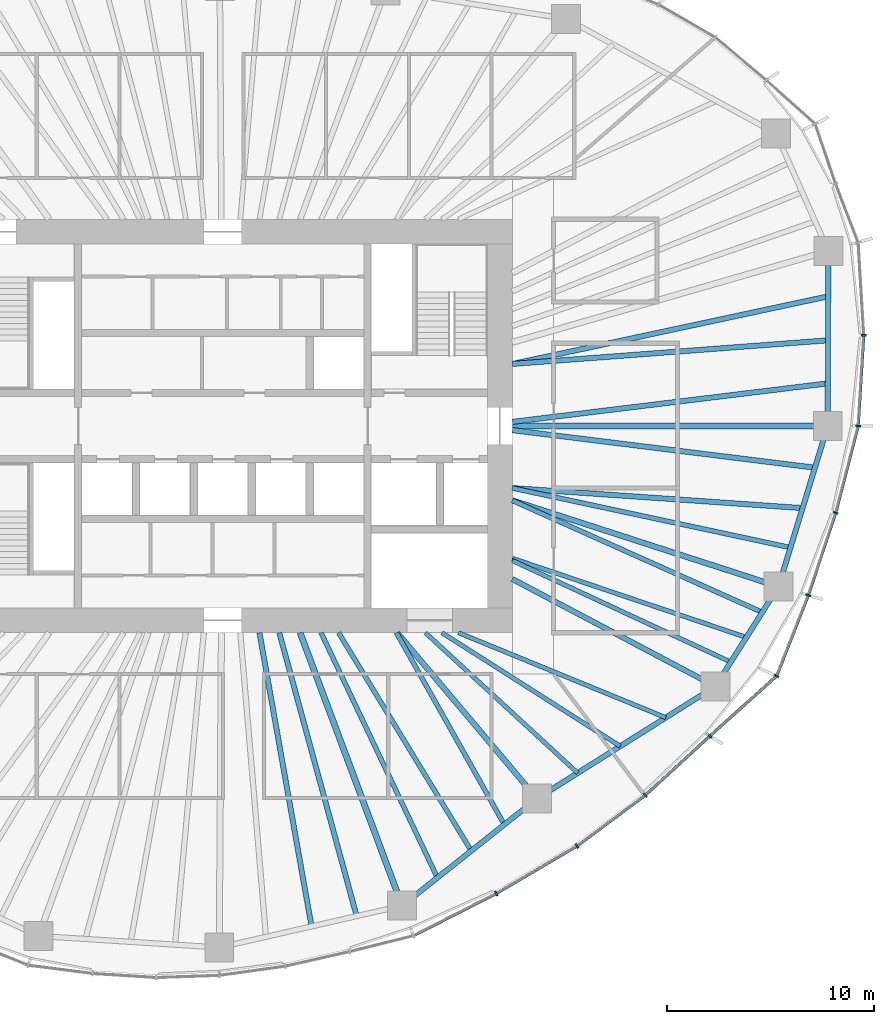
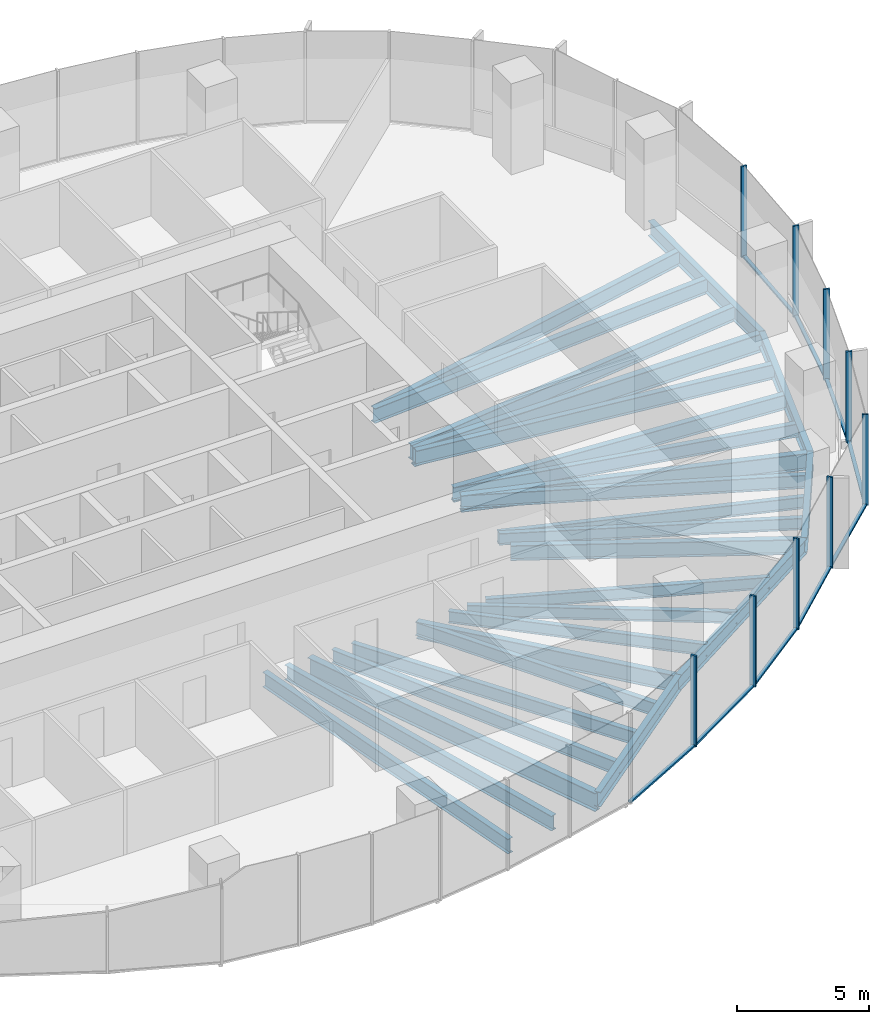
# One storey, part 4 of 18: 27 beams, 18 members, 5 elements without a shape of their own.
"""IFC4 building model written with IfcOpenShell, lengths in metres."""

from ifc_helpers import new_model, si_unit, direction, frame, origin, origin_2d, place, context, subcontext, project, spatial, rectangle, i_section, extrude, material, material_profile, profile_set, type_object, element, aggregate, save


model = new_model("IFC4")

# Units and contexts
model_context = context("Model", 3, precision=1e-05, world=origin(), true_north=direction((0.0, 1.0)))
body_context = subcontext(model_context, "Body", "Model", "MODEL_VIEW")
ifc_project = project(units=[si_unit("LENGTHUNIT", "METRE"), si_unit("AREAUNIT", "SQUARE_METRE"), si_unit("VOLUMEUNIT", "CUBIC_METRE"), si_unit("PLANEANGLEUNIT", "RADIAN"), si_unit("MASSUNIT", "GRAM", prefix="KILO")], contexts=[model_context])

# Site, building, storey
site_placement = place(None, origin())
site = spatial("IfcSite", under=ifc_project, at=site_placement, CompositionType="ELEMENT")
building_placement = place(site_placement, origin())
building = spatial("IfcBuilding", under=site, at=building_placement, Name="Ghaith Harvest Tower", CompositionType="ELEMENT")
storey_placement = place(building_placement, frame((0.0, 0.0, 168.0)))
storey = spatial("IfcBuildingStorey", under=building, at=storey_placement, Name="L36", CompositionType="ELEMENT", Elevation=168.0)

# Curtain wall, members
ifc_material_1 = material(Name="Black anodised aluminium and fritted glass", Category="aluminium")
curtain_wall_type = type_object("IfcCurtainWallType", Name="CW-L CURTAIN WALL", PredefinedType="NOTDEFINED", material=ifc_material_1)
curtain_wall_1_placement = place(storey_placement, origin())
curtain_wall_1 = element("IfcCurtainWall", 1, at=curtain_wall_1_placement, inside=storey, type_object=curtain_wall_type, Name="Curtain wall CW-L bay 01 L36", PredefinedType="NOTDEFINED")
ifc_material_2 = material(Name="Aluminium, black anodised", Category="aluminium")
ifc_material_profile_1 = material_profile(ifc_material_2, rectangle(XDim=0.080078125, YDim=0.239990234375, at=origin_2d()), Name="CW-L MULLION 80x240")
ifc_profile_set_1 = profile_set([ifc_material_profile_1], Name="Aluminium, black anodised")
member_type_1 = type_object("IfcMemberType", Name="CW-L MULLION 80x240", PredefinedType="MULLION", material=ifc_profile_set_1)
member_1_placement = place(storey_placement, frame((30.728759765625, 0.0, 0.0), z_axis=(0.0, 0.0, 1.0), x_axis=(0.155597142981, 0.987820595602, 0.0)))
member_1 = element("IfcMember", 2, at=member_1_placement, type_object=member_type_1, Name="CW-L mullion 1 bay 01 L36", PredefinedType="MULLION", context=body_context, shape_type="SweptSolid", body=[
    extrude(rectangle(XDim=0.080078125, YDim=0.239990234375, at=origin_2d()), origin(), (0.0, 0.0, 1.0), 4.199951171875),
])
member_2_placement = place(storey_placement, frame((30.998779296875, 4.389892578125, 0.0), z_axis=(0.0, 0.0, 1.0), x_axis=(-0.000162467394, 0.999999986802, 0.0)))
member_2 = element("IfcMember", 3, at=member_2_placement, type_object=member_type_1, Name="CW-L mullion 2 bay 01 L36", PredefinedType="MULLION", context=body_context, shape_type="SweptSolid", body=[
    extrude(rectangle(XDim=0.080078125, YDim=0.239990234375, at=origin_2d()), origin(), (0.0, 0.0, 1.0), 4.199951171875),
])

# Curtain wall, member
curtain_wall_2_placement = place(storey_placement, origin())
curtain_wall_2 = element("IfcCurtainWall", 4, at=curtain_wall_2_placement, inside=storey, type_object=curtain_wall_type, Name="Curtain wall CW-L bay 17 L36", PredefinedType="NOTDEFINED")
member_3_placement = place(storey_placement, frame((13.224365234375, -22.614013671875, 0.0), z_axis=(0.0, 0.0, 1.0), x_axis=(0.876898762173, 0.480675109507, 0.0)))
member_3 = element("IfcMember", 5, at=member_3_placement, type_object=member_type_1, Name="CW-L mullion 2 bay 17 L36", PredefinedType="MULLION", context=body_context, shape_type="SweptSolid", body=[
    extrude(rectangle(XDim=0.080078125, YDim=0.239990234375, at=origin_2d()), origin(), (0.0, 0.0, 1.0), 4.199951171875),
])

# Curtain wall, members
curtain_wall_3_placement = place(storey_placement, origin())
curtain_wall_3 = element("IfcCurtainWall", 6, at=curtain_wall_3_placement, inside=storey, type_object=curtain_wall_type, Name="Curtain wall CW-L bay 18 L36", PredefinedType="NOTDEFINED")
member_4_placement = place(storey_placement, frame((17.1318359375, -20.31591796875, 0.0), z_axis=(0.0, 0.0, 1.0), x_axis=(0.834887453241, 0.550420694035, 0.0)))
member_4 = element("IfcMember", 7, at=member_4_placement, type_object=member_type_1, Name="CW-L mullion 1 bay 18 L36", PredefinedType="MULLION", context=body_context, shape_type="SweptSolid", body=[
    extrude(rectangle(XDim=0.080078125, YDim=0.239990234375, at=origin_2d()), origin(), (0.0, 0.0, 1.0), 4.199951171875),
])
member_5_placement = place(storey_placement, frame((20.4296875, -17.86376953125, 0.0), z_axis=(0.0, 0.0, 1.0), x_axis=(0.770306399656, 0.637673937564, 0.0)))
member_5 = element("IfcMember", 8, at=member_5_placement, type_object=member_type_1, Name="CW-L mullion 2 bay 18 L36", PredefinedType="MULLION", context=body_context, shape_type="SweptSolid", body=[
    extrude(rectangle(XDim=0.080078125, YDim=0.239990234375, at=origin_2d()), origin(), (0.0, 0.0, 1.0), 4.199951171875),
])

curtain_wall_4_placement = place(storey_placement, origin())
curtain_wall_4 = element("IfcCurtainWall", 9, at=curtain_wall_4_placement, inside=storey, type_object=curtain_wall_type, Name="Curtain wall CW-L bay 19 L36", PredefinedType="NOTDEFINED")
member_6_placement = place(storey_placement, frame((23.560546875, -14.994140625, 0.0), z_axis=(0.0, 0.0, 1.0), x_axis=(0.740389054945, 0.672178582906, 0.0)))
member_6 = element("IfcMember", 10, at=member_6_placement, type_object=member_type_1, Name="CW-L mullion 1 bay 19 L36", PredefinedType="MULLION", context=body_context, shape_type="SweptSolid", body=[
    extrude(rectangle(XDim=0.080078125, YDim=0.239990234375, at=origin_2d()), origin(), (0.0, 0.0, 1.0), 4.199951171875),
])
member_7_placement = place(storey_placement, frame((26.786376953125, -12.0927734375, 0.0), z_axis=(0.0, 0.0, 1.0), x_axis=(0.572853476908, 0.819657790785, 0.0)))
member_7 = element("IfcMember", 11, at=member_7_placement, type_object=member_type_1, Name="CW-L mullion 2 bay 19 L36", PredefinedType="MULLION", context=body_context, shape_type="SweptSolid", body=[
    extrude(rectangle(XDim=0.080078125, YDim=0.239990234375, at=origin_2d()), origin(), (0.0, 0.0, 1.0), 4.199951171875),
])

curtain_wall_5_placement = place(storey_placement, origin())
curtain_wall_5 = element("IfcCurtainWall", 12, at=curtain_wall_5_placement, inside=storey, type_object=curtain_wall_type, Name="Curtain wall CW-L bay 20 L36", PredefinedType="NOTDEFINED")
member_8_placement = place(storey_placement, frame((28.319580078125, -8.184814453125, 0.0), z_axis=(0.0, 0.0, 1.0), x_axis=(0.34057402484, 0.94021770543, 0.0)))
member_8 = element("IfcMember", 13, at=member_8_placement, type_object=member_type_1, Name="CW-L mullion 1 bay 20 L36", PredefinedType="MULLION", context=body_context, shape_type="SweptSolid", body=[
    extrude(rectangle(XDim=0.080078125, YDim=0.239990234375, at=origin_2d()), origin(), (0.0, 0.0, 1.0), 4.199951171875),
])
member_9_placement = place(storey_placement, frame((29.64599609375, -4.1982421875, 0.0), z_axis=(0.0, 0.0, 1.0), x_axis=(0.282375140161, 0.959304060358, 0.0)))
member_9 = element("IfcMember", 14, at=member_9_placement, type_object=member_type_1, Name="CW-L mullion 2 bay 20 L36", PredefinedType="MULLION", context=body_context, shape_type="SweptSolid", body=[
    extrude(rectangle(XDim=0.080078125, YDim=0.239990234375, at=origin_2d()), origin(), (0.0, 0.0, 1.0), 4.199951171875),
])

# Member
ifc_material_3 = material(Name="Aluminium, black anodised", Category="aluminium")
ifc_material_profile_2 = material_profile(ifc_material_3, rectangle(XDim=0.14990234375, YDim=0.080078125, at=origin_2d()), Name="CW-L TRANSOM 150x80")
ifc_profile_set_2 = profile_set([ifc_material_profile_2], Name="Aluminium, black anodised")
member_type_2 = type_object("IfcMemberType", Name="CW-L TRANSOM 150x80", PredefinedType="USERDEFINED", material=ifc_profile_set_2)
member_10_placement = place(storey_placement, frame((30.731201171875, 0.0400390625, 0.0400390625), z_axis=(0.061403204251, 0.99811304295, 0.0), x_axis=(-0.99811304295, 0.061403204251, 0.0)))
member_10 = element("IfcMember", 15, at=member_10_placement, type_object=member_type_2, Name="CW-L transom 1 bay 01 L36", ObjectType="TRANSOM", PredefinedType="USERDEFINED", context=body_context, shape_type="SweptSolid", body=[
    extrude(rectangle(XDim=0.14990234375, YDim=0.080078125, at=origin_2d()), origin(), (0.0, 0.0, 1.0), 4.31787109375),
])

aggregate(curtain_wall_1, [member_1, member_10, member_2])

member_11_placement = place(storey_placement, frame((9.25244140625, -24.636474609375, 0.0400390625), z_axis=(0.891120044719, 0.453767634258, 0.0), x_axis=(-0.453767634258, 0.891120044719, 0.0)))
member_11 = element("IfcMember", 16, at=member_11_placement, type_object=member_type_2, Name="CW-L transom 1 bay 17 L36", ObjectType="TRANSOM", PredefinedType="USERDEFINED", context=body_context, shape_type="SweptSolid", body=[
    extrude(rectangle(XDim=0.14990234375, YDim=0.080078125, at=origin_2d()), origin(), (0.0, 0.0, 1.0), 4.417236328125),
])

member_12_placement = place(storey_placement, frame((13.259033203125, -22.59375, 0.0400390625), z_axis=(0.86196381091, 0.506969810424, 0.0), x_axis=(-0.506969810424, 0.86196381091, 0.0)))
member_12 = element("IfcMember", 17, at=member_12_placement, type_object=member_type_2, Name="CW-L transom 2 bay 17 L36", ObjectType="TRANSOM", PredefinedType="USERDEFINED", context=body_context, shape_type="SweptSolid", body=[
    extrude(rectangle(XDim=0.14990234375, YDim=0.080078125, at=origin_2d()), origin(), (0.0, 0.0, 1.0), 4.453125),
])

aggregate(curtain_wall_2, [member_11, member_3, member_12])

member_13_placement = place(storey_placement, frame((17.1640625, -20.2919921875, 0.0400390625), z_axis=(0.802465316609, 0.59669876457, 0.0), x_axis=(-0.59669876457, 0.802465316609, 0.0)))
member_13 = element("IfcMember", 18, at=member_13_placement, type_object=member_type_2, Name="CW-L transom 1 bay 18 L36", ObjectType="TRANSOM", PredefinedType="USERDEFINED", context=body_context, shape_type="SweptSolid", body=[
    extrude(rectangle(XDim=0.14990234375, YDim=0.080078125, at=origin_2d()), origin(), (0.0, 0.0, 1.0), 4.029296875),
])

member_14_placement = place(storey_placement, frame((20.459228515625, -17.836669921875, 0.0400390625), z_axis=(0.737197916434, 0.675676869521, 0.0), x_axis=(-0.675676869521, 0.737197916434, 0.0)))
member_14 = element("IfcMember", 19, at=member_14_placement, type_object=member_type_2, Name="CW-L transom 2 bay 18 L36", ObjectType="TRANSOM", PredefinedType="USERDEFINED", context=body_context, shape_type="SweptSolid", body=[
    extrude(rectangle(XDim=0.14990234375, YDim=0.080078125, at=origin_2d()), origin(), (0.0, 0.0, 1.0), 4.166748046875),
])

aggregate(curtain_wall_3, [member_4, member_13, member_5, member_14])

member_15_placement = place(storey_placement, frame((23.59033203125, -14.967529296875, 0.0400390625), z_axis=(0.74346800111, 0.668771509056, 0.0), x_axis=(-0.668771509056, 0.74346800111, 0.0)))
member_15 = element("IfcMember", 20, at=member_15_placement, type_object=member_type_2, Name="CW-L transom 1 bay 19 L36", ObjectType="TRANSOM", PredefinedType="USERDEFINED", context=body_context, shape_type="SweptSolid", body=[
    extrude(rectangle(XDim=0.14990234375, YDim=0.080078125, at=origin_2d()), origin(), (0.0, 0.0, 1.0), 4.2587890625),
])

member_16_placement = place(storey_placement, frame((26.801025390625, -12.055419921875, 0.0400390625), z_axis=(0.365228588652, 0.930917868575, 0.0), x_axis=(-0.930917868575, 0.365228588652, 0.0)))
member_16 = element("IfcMember", 21, at=member_16_placement, type_object=member_type_2, Name="CW-L transom 2 bay 19 L36", ObjectType="TRANSOM", PredefinedType="USERDEFINED", context=body_context, shape_type="SweptSolid", body=[
    extrude(rectangle(XDim=0.14990234375, YDim=0.080078125, at=origin_2d()), origin(), (0.0, 0.0, 1.0), 4.11767578125),
])

aggregate(curtain_wall_4, [member_6, member_15, member_7, member_16])

member_17_placement = place(storey_placement, frame((28.33203125, -8.14697265625, 0.0400390625), z_axis=(0.315712391444, 0.948854934059, 0.0), x_axis=(-0.948854934059, 0.315712391444, 0.0)))
member_17 = element("IfcMember", 22, at=member_17_placement, type_object=member_type_2, Name="CW-L transom 1 bay 20 L36", ObjectType="TRANSOM", PredefinedType="USERDEFINED", context=body_context, shape_type="SweptSolid", body=[
    extrude(rectangle(XDim=0.14990234375, YDim=0.080078125, at=origin_2d()), origin(), (0.0, 0.0, 1.0), 4.12158203125),
])

member_18_placement = place(storey_placement, frame((29.656005859375, -4.159423828125, 0.0400390625), z_axis=(0.249737470584, 0.968313583395, 0.0), x_axis=(-0.968313583395, 0.249737470584, 0.0)))
member_18 = element("IfcMember", 23, at=member_18_placement, type_object=member_type_2, Name="CW-L transom 2 bay 20 L36", ObjectType="TRANSOM", PredefinedType="USERDEFINED", context=body_context, shape_type="SweptSolid", body=[
    extrude(rectangle(XDim=0.14990234375, YDim=0.080078125, at=origin_2d()), origin(), (0.0, 0.0, 1.0), 4.25537109375),
])

aggregate(curtain_wall_5, [member_8, member_17, member_9, member_18])

# Beams
ifc_material_4 = material(Name="Steel ASTM A992 Grade 50", Category="steel")
ifc_material_profile_3 = material_profile(ifc_material_4, i_section(OverallWidth=0.25390625, OverallDepth=0.68408203125, WebThickness=0.012451171875, FlangeThickness=0.018798828125, at=origin_2d()), Name="W690X140")
ifc_profile_set_3 = profile_set([ifc_material_profile_3], Name="Steel ASTM A992 Grade 50")
beam_type_1 = type_object("IfcBeamType", Name="E690-140 W690X140", PredefinedType="SPANDREL", material=ifc_profile_set_3)
beam_1_placement = place(storey_placement, frame((29.259033203125, 0.0, -0.511962890625), z_axis=(0.003172847394, 0.999994966507, 0.0), x_axis=(-0.999994966507, 0.003172847394, 0.0)))
element("IfcBeam", 24, at=beam_1_placement, inside=storey, type_object=beam_type_1, Name="Edge beam E01 L36", PredefinedType="SPANDREL", context=body_context, shape_type="SweptSolid", body=[
    extrude(i_section(OverallWidth=0.25390625, OverallDepth=0.68408203125, WebThickness=0.012451171875, FlangeThickness=0.018798828125, at=origin_2d()), origin(), (0.0, 0.0, 1.0), 8.464111328125),
])
beam_2_placement = place(storey_placement, frame((8.674072265625, -23.202880859375, -0.511962890625), z_axis=(0.783159540917, 0.621820821033, 0.0), x_axis=(-0.621820821033, 0.783159540917, 0.0)))
element("IfcBeam", 25, at=beam_2_placement, inside=storey, type_object=beam_type_1, Name="Edge beam E17 L36", PredefinedType="SPANDREL", context=body_context, shape_type="SweptSolid", body=[
    extrude(i_section(OverallWidth=0.25390625, OverallDepth=0.68408203125, WebThickness=0.012451171875, FlangeThickness=0.018798828125, at=origin_2d()), origin(), (0.0, 0.0, 1.0), 8.330322265625),
])
beam_3_placement = place(storey_placement, frame((15.197998046875, -18.02294921875, -0.511962890625), z_axis=(0.846385185363, 0.532571232793, 0.0), x_axis=(-0.532571232793, 0.846385185363, 0.0)))
element("IfcBeam", 26, at=beam_3_placement, inside=storey, type_object=beam_type_1, Name="Edge beam E18 L36", PredefinedType="SPANDREL", context=body_context, shape_type="SweptSolid", body=[
    extrude(i_section(OverallWidth=0.25390625, OverallDepth=0.68408203125, WebThickness=0.012451171875, FlangeThickness=0.018798828125, at=origin_2d()), origin(), (0.0, 0.0, 1.0), 10.19384765625),
])
beam_4_placement = place(storey_placement, frame((23.825927734375, -12.593994140625, -0.511962890625), z_axis=(0.534499624093, 0.845168712059, 0.0), x_axis=(-0.845168712059, 0.534499624093, 0.0)))
element("IfcBeam", 27, at=beam_4_placement, inside=storey, type_object=beam_type_1, Name="Edge beam E19 L36", PredefinedType="SPANDREL", context=body_context, shape_type="SweptSolid", body=[
    extrude(i_section(OverallWidth=0.25390625, OverallDepth=0.68408203125, WebThickness=0.012451171875, FlangeThickness=0.018798828125, at=origin_2d()), origin(), (0.0, 0.0, 1.0), 5.7099609375),
])
beam_5_placement = place(storey_placement, frame((26.8779296875, -7.76806640625, -0.511962890625), z_axis=(0.293065809375, 0.956092271371, 0.0), x_axis=(-0.956092271371, 0.293065809375, 0.0)))
element("IfcBeam", 28, at=beam_5_placement, inside=storey, type_object=beam_type_1, Name="Edge beam E20 L36", PredefinedType="SPANDREL", context=body_context, shape_type="SweptSolid", body=[
    extrude(i_section(OverallWidth=0.25390625, OverallDepth=0.68408203125, WebThickness=0.012451171875, FlangeThickness=0.018798828125, at=origin_2d()), origin(), (0.0, 0.0, 1.0), 8.124755859375),
])
ifc_material_5 = material(Name="Steel ASTM A992 Grade 50", Category="steel")
ifc_material_profile_4 = material_profile(ifc_material_5, i_section(OverallWidth=0.256103515625, OverallDepth=0.693115234375, WebThickness=0.014404296875, FlangeThickness=0.023681640625, at=origin_2d()), Name="W690X170")
ifc_profile_set_4 = profile_set([ifc_material_profile_4], Name="Steel ASTM A992 Grade 50")
beam_type_2 = type_object("IfcBeamType", Name="G690-170 W690X170", PredefinedType="BEAM", material=ifc_profile_set_4)
beam_6_placement = place(storey_placement, frame((14.0, -7.39990234375, -0.5166015625), z_axis=(0.884080549082, -0.467334551189, 0.0), x_axis=(0.467334551189, 0.884080549082, 0.0)))
element("IfcBeam", 29, at=beam_6_placement, inside=storey, type_object=beam_type_2, Name="Radial girder G19 L36", PredefinedType="BEAM", context=body_context, shape_type="SweptSolid", body=[
    extrude(i_section(OverallWidth=0.256103515625, OverallDepth=0.693115234375, WebThickness=0.014404296875, FlangeThickness=0.023681640625, at=origin_2d()), origin(), (0.0, 0.0, 1.0), 11.1142578125),
])
ifc_material_6 = material(Name="Steel ASTM A992 Grade 50", Category="steel")
ifc_material_profile_5 = material_profile(ifc_material_6, i_section(OverallWidth=0.26806640625, OverallDepth=0.77001953125, WebThickness=0.015625, FlangeThickness=0.025390625, at=origin_2d()), Name="W760X196")
ifc_profile_set_5 = profile_set([ifc_material_profile_5], Name="Steel ASTM A992 Grade 50")
beam_type_3 = type_object("IfcBeamType", Name="G760-196 W760X196", PredefinedType="BEAM", material=ifc_profile_set_5)
beam_7_placement = place(storey_placement, frame((8.4326171875, -10.0, -0.554931640625), z_axis=(0.644649240595, -0.764478486682, 0.0), x_axis=(0.764478486682, 0.644649240595, 0.0)))
element("IfcBeam", 30, at=beam_7_placement, inside=storey, type_object=beam_type_3, Name="Radial girder G18 L36", PredefinedType="BEAM", context=body_context, shape_type="SweptSolid", body=[
    extrude(i_section(OverallWidth=0.26806640625, OverallDepth=0.77001953125, WebThickness=0.015625, FlangeThickness=0.025390625, at=origin_2d()), origin(), (0.0, 0.0, 1.0), 10.49462890625),
])
beam_8_placement = place(storey_placement, frame((14.0, -3.60009765625, -0.554931640625), z_axis=(0.951410331565, -0.307925934262, 0.0), x_axis=(0.307925934262, 0.951410331565, 0.0)))
element("IfcBeam", 31, at=beam_8_placement, inside=storey, type_object=beam_type_3, Name="Radial girder G20 L36", PredefinedType="BEAM", context=body_context, shape_type="SweptSolid", body=[
    extrude(i_section(OverallWidth=0.26806640625, OverallDepth=0.77001953125, WebThickness=0.015625, FlangeThickness=0.025390625, at=origin_2d()), origin(), (0.0, 0.0, 1.0), 13.53564453125),
])
ifc_material_7 = material(Name="Steel ASTM A992 Grade 50", Category="steel")
ifc_material_profile_6 = material_profile(ifc_material_7, i_section(OverallWidth=0.2939453125, OverallDepth=0.85107421875, WebThickness=0.01611328125, FlangeThickness=0.02685546875, at=origin_2d()), Name="W840X226")
ifc_profile_set_6 = profile_set([ifc_material_profile_6], Name="Steel ASTM A992 Grade 50")
beam_type_4 = type_object("IfcBeamType", Name="G840-226 W840X226", PredefinedType="BEAM", material=ifc_profile_set_6)
beam_9_placement = place(storey_placement, frame((14.0, 0.0, -0.595458984375), z_axis=(1.0, 0.0, 0.0), x_axis=(0.0, 1.0, 0.0)))
element("IfcBeam", 32, at=beam_9_placement, inside=storey, type_object=beam_type_4, Name="Radial girder G01 L36", PredefinedType="BEAM", context=body_context, shape_type="SweptSolid", body=[
    extrude(i_section(OverallWidth=0.2939453125, OverallDepth=0.85107421875, WebThickness=0.01611328125, FlangeThickness=0.02685546875, at=origin_2d()), origin(), (0.0, 0.0, 1.0), 15.259033203125),
])
beam_10_placement = place(storey_placement, frame((3.73828125, -10.0, -0.595458984375), z_axis=(0.350172283717, -0.936685310932, 0.0), x_axis=(0.936685310932, 0.350172283717, 0.0)))
element("IfcBeam", 33, at=beam_10_placement, inside=storey, type_object=beam_type_4, Name="Radial girder G17 L36", PredefinedType="BEAM", context=body_context, shape_type="SweptSolid", body=[
    extrude(i_section(OverallWidth=0.2939453125, OverallDepth=0.85107421875, WebThickness=0.01611328125, FlangeThickness=0.02685546875, at=origin_2d()), origin(), (0.0, 0.0, 1.0), 14.09521484375),
])
ifc_material_8 = material(Name="Steel ASTM A992 Grade 50", Category="steel")
ifc_material_profile_7 = material_profile(ifc_material_8, i_section(OverallWidth=0.2109375, OverallDepth=0.5390625, WebThickness=0.01171875, FlangeThickness=0.018798828125, at=origin_2d()), Name="W530X109")
ifc_profile_set_7 = profile_set([ifc_material_profile_7], Name="Steel ASTM A992 Grade 50")
beam_type_5 = type_object("IfcBeamType", Name="J530-109 W530X109", PredefinedType="JOIST", material=ifc_profile_set_7)
beam_11_placement = place(storey_placement, frame((9.800048828125, -10.0, -0.439453125), z_axis=(0.735441512033, -0.677588210035, 0.0), x_axis=(0.677588210035, 0.735441512033, 0.0)))
element("IfcBeam", 34, at=beam_11_placement, inside=storey, type_object=beam_type_5, Name="Joist J18.1 L36", PredefinedType="JOIST", context=body_context, shape_type="SweptSolid", body=[
    extrude(i_section(OverallWidth=0.2109375, OverallDepth=0.5390625, WebThickness=0.01171875, FlangeThickness=0.018798828125, at=origin_2d()), origin(), (0.0, 0.0, 1.0), 10.01416015625),
])
beam_12_placement = place(storey_placement, frame((10.60009765625, -10.0, -0.439453125), z_axis=(0.843584777848, -0.536996017288, 0.0), x_axis=(0.536996017288, 0.843584777848, 0.0)))
element("IfcBeam", 35, at=beam_12_placement, inside=storey, type_object=beam_type_5, Name="Joist J18.2 L36", PredefinedType="JOIST", context=body_context, shape_type="SweptSolid", body=[
    extrude(i_section(OverallWidth=0.2109375, OverallDepth=0.5390625, WebThickness=0.01171875, FlangeThickness=0.018798828125, at=origin_2d()), origin(), (0.0, 0.0, 1.0), 10.22314453125),
])
beam_13_placement = place(storey_placement, frame((11.39990234375, -10.0, -0.439453125), z_axis=(0.925406878607, -0.378975077053, 0.0), x_axis=(0.378975077053, 0.925406878607, 0.0)))
element("IfcBeam", 36, at=beam_13_placement, inside=storey, type_object=beam_type_5, Name="Joist J18.3 L36", PredefinedType="JOIST", context=body_context, shape_type="SweptSolid", body=[
    extrude(i_section(OverallWidth=0.2109375, OverallDepth=0.5390625, WebThickness=0.01171875, FlangeThickness=0.018798828125, at=origin_2d()), origin(), (0.0, 0.0, 1.0), 10.83251953125),
])
beam_14_placement = place(storey_placement, frame((14.0, -6.506103515625, -0.439453125), z_axis=(0.906863188232, -0.421425150922, 0.0), x_axis=(0.421425150922, 0.906863188232, 0.0)))
element("IfcBeam", 37, at=beam_14_placement, inside=storey, type_object=beam_type_5, Name="Joist J19.1 L36", PredefinedType="JOIST", context=body_context, shape_type="SweptSolid", body=[
    extrude(i_section(OverallWidth=0.2109375, OverallDepth=0.5390625, WebThickness=0.01171875, FlangeThickness=0.018798828125, at=origin_2d()), origin(), (0.0, 0.0, 1.0), 11.6552734375),
])
beam_15_placement = place(storey_placement, frame((14.0, -6.39990234375, -0.439453125), z_axis=(0.947372072272, -0.320134591508, 0.0), x_axis=(0.320134591508, 0.947372072272, 0.0)))
element("IfcBeam", 38, at=beam_15_placement, inside=storey, type_object=beam_type_5, Name="Joist J19.2 L36", PredefinedType="JOIST", context=body_context, shape_type="SweptSolid", body=[
    extrude(i_section(OverallWidth=0.2109375, OverallDepth=0.5390625, WebThickness=0.01171875, FlangeThickness=0.018798828125, at=origin_2d()), origin(), (0.0, 0.0, 1.0), 11.95263671875),
])
ifc_material_9 = material(Name="Steel ASTM A992 Grade 50", Category="steel")
ifc_material_profile_8 = material_profile(ifc_material_9, i_section(OverallWidth=0.22900390625, OverallDepth=0.612060546875, WebThickness=0.011962890625, FlangeThickness=0.01953125, at=origin_2d()), Name="W610X125")
ifc_profile_set_8 = profile_set([ifc_material_profile_8], Name="Steel ASTM A992 Grade 50")
beam_type_6 = type_object("IfcBeamType", Name="J610-125 W610X125", PredefinedType="JOIST", material=ifc_profile_set_8)
beam_16_placement = place(storey_placement, frame((4.75, -10.0, -0.47607421875), z_axis=(0.429062888327, -0.903274619294, 0.0), x_axis=(0.903274619294, 0.429062888327, 0.0)))
element("IfcBeam", 39, at=beam_16_placement, inside=storey, type_object=beam_type_6, Name="Joist J17.1 L36", PredefinedType="JOIST", context=body_context, shape_type="SweptSolid", body=[
    extrude(i_section(OverallWidth=0.22900390625, OverallDepth=0.612060546875, WebThickness=0.011962890625, FlangeThickness=0.01953125, at=origin_2d()), origin(), (0.0, 0.0, 1.0), 13.118408203125),
])
beam_17_placement = place(storey_placement, frame((5.60009765625, -10.0, -0.47607421875), z_axis=(0.51969412955, -0.854352393167, 0.0), x_axis=(0.854352393167, 0.51969412955, 0.0)))
element("IfcBeam", 40, at=beam_17_placement, inside=storey, type_object=beam_type_6, Name="Joist J17.2 L36", PredefinedType="JOIST", context=body_context, shape_type="SweptSolid", body=[
    extrude(i_section(OverallWidth=0.22900390625, OverallDepth=0.612060546875, WebThickness=0.011962890625, FlangeThickness=0.01953125, at=origin_2d()), origin(), (0.0, 0.0, 1.0), 12.34716796875),
])
beam_18_placement = place(storey_placement, frame((8.39990234375, -10.0, -0.47607421875), z_axis=(0.489936713337, -0.871758003648, 0.0), x_axis=(0.871758003648, 0.489936713337, 0.0)))
element("IfcBeam", 41, at=beam_18_placement, inside=storey, type_object=beam_type_6, Name="Joist J17.3 L36", PredefinedType="JOIST", context=body_context, shape_type="SweptSolid", body=[
    extrude(i_section(OverallWidth=0.22900390625, OverallDepth=0.612060546875, WebThickness=0.011962890625, FlangeThickness=0.01953125, at=origin_2d()), origin(), (0.0, 0.0, 1.0), 10.64501953125),
])
beam_19_placement = place(storey_placement, frame((14.0, -3.60009765625, -0.47607421875), z_axis=(0.912738327266, -0.408544668231, 0.0), x_axis=(0.408544668231, 0.912738327266, 0.0)))
element("IfcBeam", 42, at=beam_19_placement, inside=storey, type_object=beam_type_6, Name="Joist J19.3 L36", PredefinedType="JOIST", context=body_context, shape_type="SweptSolid", body=[
    extrude(i_section(OverallWidth=0.22900390625, OverallDepth=0.612060546875, WebThickness=0.011962890625, FlangeThickness=0.01953125, at=origin_2d()), origin(), (0.0, 0.0, 1.0), 13.247314453125),
])
beam_20_placement = place(storey_placement, frame((14.0, -3.0, -0.47607421875), z_axis=(0.97783433664, -0.209380061343, 0.0), x_axis=(0.209380061343, 0.97783433664, 0.0)))
element("IfcBeam", 43, at=beam_20_placement, inside=storey, type_object=beam_type_6, Name="Joist J20.1 L36", PredefinedType="JOIST", context=body_context, shape_type="SweptSolid", body=[
    extrude(i_section(OverallWidth=0.22900390625, OverallDepth=0.612060546875, WebThickness=0.011962890625, FlangeThickness=0.01953125, at=origin_2d()), origin(), (0.0, 0.0, 1.0), 13.76123046875),
])
ifc_material_10 = material(Name="Steel ASTM A992 Grade 50", Category="steel")
ifc_material_profile_9 = material_profile(ifc_material_10, i_section(OverallWidth=0.25390625, OverallDepth=0.68408203125, WebThickness=0.012451171875, FlangeThickness=0.018798828125, at=origin_2d()), Name="W690X140")
ifc_profile_set_9 = profile_set([ifc_material_profile_9], Name="Steel ASTM A992 Grade 50")
beam_type_7 = type_object("IfcBeamType", Name="J690-140 W690X140", PredefinedType="JOIST", material=ifc_profile_set_9)
beam_21_placement = place(storey_placement, frame((14.0, 0.199951171875, -0.511962890625), z_axis=(0.992642759881, 0.121079937462, 0.0), x_axis=(-0.121079937462, 0.992642759881, 0.0)))
element("IfcBeam", 44, at=beam_21_placement, inside=storey, type_object=beam_type_7, Name="Joist J01.1 L36", PredefinedType="JOIST", context=body_context, shape_type="SweptSolid", body=[
    extrude(i_section(OverallWidth=0.25390625, OverallDepth=0.68408203125, WebThickness=0.012451171875, FlangeThickness=0.018798828125, at=origin_2d()), origin(), (0.0, 0.0, 1.0), 15.378662109375),
])
beam_22_placement = place(storey_placement, frame((14.0, 3.0, -0.511962890625), z_axis=(0.997200052902, 0.074780040735, 0.0), x_axis=(-0.074780040735, 0.997200052902, 0.0)))
element("IfcBeam", 45, at=beam_22_placement, inside=storey, type_object=beam_type_7, Name="Joist J01.2 L36", PredefinedType="JOIST", context=body_context, shape_type="SweptSolid", body=[
    extrude(i_section(OverallWidth=0.25390625, OverallDepth=0.68408203125, WebThickness=0.012451171875, FlangeThickness=0.018798828125, at=origin_2d()), origin(), (0.0, 0.0, 1.0), 15.315185546875),
])
beam_23_placement = place(storey_placement, frame((14.0, 3.0, -0.511962890625), z_axis=(0.977833271545, 0.209385035425, 0.0), x_axis=(-0.209385035425, 0.977833271545, 0.0)))
element("IfcBeam", 46, at=beam_23_placement, inside=storey, type_object=beam_type_7, Name="Joist J01.3 L36", PredefinedType="JOIST", context=body_context, shape_type="SweptSolid", body=[
    extrude(i_section(OverallWidth=0.25390625, OverallDepth=0.68408203125, WebThickness=0.012451171875, FlangeThickness=0.018798828125, at=origin_2d()), origin(), (0.0, 0.0, 1.0), 15.62548828125),
])
beam_24_placement = place(storey_placement, frame((1.772705078125, -10.0, -0.511962890625), z_axis=(0.174552818486, -0.98464781194, 0.0), x_axis=(0.98464781194, 0.174552818486, 0.0)))
element("IfcBeam", 47, at=beam_24_placement, inside=storey, type_object=beam_type_7, Name="Joist J16.2 L36", PredefinedType="JOIST", context=body_context, shape_type="SweptSolid", body=[
    extrude(i_section(OverallWidth=0.25390625, OverallDepth=0.68408203125, WebThickness=0.012451171875, FlangeThickness=0.018798828125, at=origin_2d()), origin(), (0.0, 0.0, 1.0), 14.42578125),
])
beam_25_placement = place(storey_placement, frame((2.73095703125, -10.0, -0.511962890625), z_axis=(0.263463446032, -0.964669379946, 0.0), x_axis=(0.964669379946, 0.263463446032, 0.0)))
element("IfcBeam", 48, at=beam_25_placement, inside=storey, type_object=beam_type_7, Name="Joist J16.3 L36", PredefinedType="JOIST", context=body_context, shape_type="SweptSolid", body=[
    extrude(i_section(OverallWidth=0.25390625, OverallDepth=0.68408203125, WebThickness=0.012451171875, FlangeThickness=0.018798828125, at=origin_2d()), origin(), (0.0, 0.0, 1.0), 14.20751953125),
])
beam_26_placement = place(storey_placement, frame((14.0, -3.0, -0.511962890625), z_axis=(0.997616678907, -0.068999724397, 0.0), x_axis=(0.068999724397, 0.997616678907, 0.0)))
element("IfcBeam", 49, at=beam_26_placement, inside=storey, type_object=beam_type_7, Name="Joist J20.2 L36", PredefinedType="JOIST", context=body_context, shape_type="SweptSolid", body=[
    extrude(i_section(OverallWidth=0.25390625, OverallDepth=0.68408203125, WebThickness=0.012451171875, FlangeThickness=0.018798828125, at=origin_2d()), origin(), (0.0, 0.0, 1.0), 14.0751953125),
])
beam_27_placement = place(storey_placement, frame((14.0, -0.199951171875, -0.511962890625), z_axis=(0.992379127816, -0.123222021874, 0.0), x_axis=(0.123222021874, 0.992379127816, 0.0)))
element("IfcBeam", 50, at=beam_27_placement, inside=storey, type_object=beam_type_7, Name="Joist J20.3 L36", PredefinedType="JOIST", context=body_context, shape_type="SweptSolid", body=[
    extrude(i_section(OverallWidth=0.25390625, OverallDepth=0.68408203125, WebThickness=0.012451171875, FlangeThickness=0.018798828125, at=origin_2d()), origin(), (0.0, 0.0, 1.0), 14.7529296875),
])

save(model, "model.ifc")
